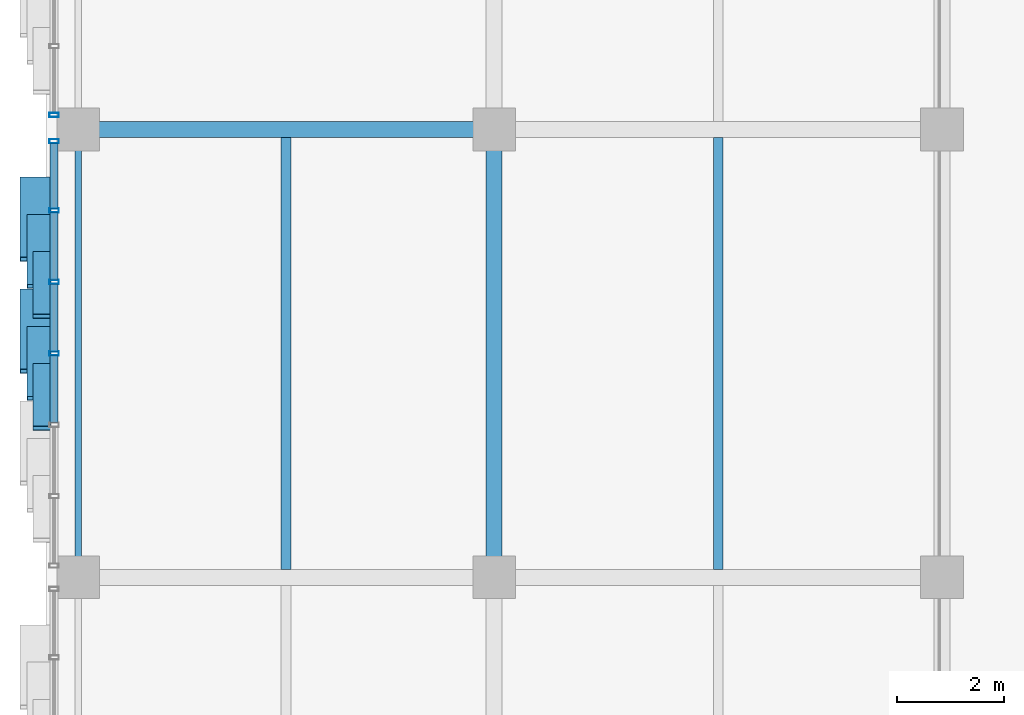
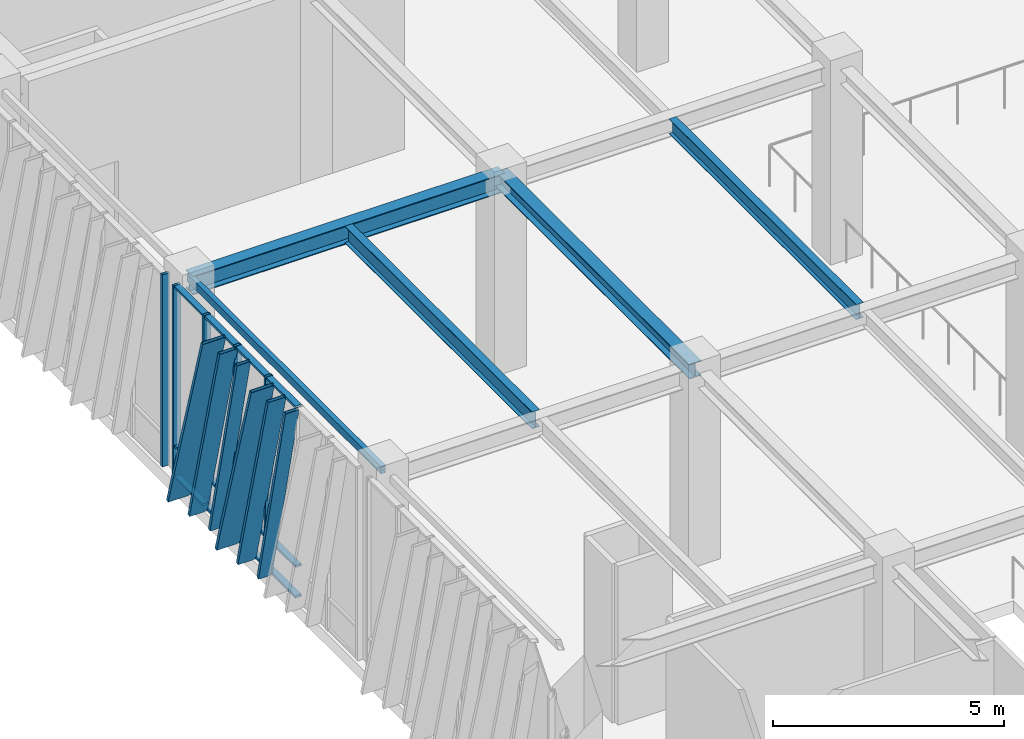
# One storey, part 42 of 139: 23 members, 5 beams, 2 elements without a shape of their own.
"""IFC4 building model written with IfcOpenShell, lengths in metres."""

from ifc_helpers import new_model, si_unit, direction, frame, origin, origin_2d, place, context, subcontext, project, spatial, hollow_rectangle, i_section, extrude, material, layer, layer_set, material_profile, profile_set, type_object, element, aggregate, save


model = new_model("IFC4")

# Units and contexts
model_context = context("Model", 3, precision=1e-05, world=origin(), true_north=direction((0.0, 1.0)))
body_context = subcontext(model_context, "Body", "Model", "MODEL_VIEW")
ifc_project = project(units=[si_unit("LENGTHUNIT", "METRE"), si_unit("AREAUNIT", "SQUARE_METRE"), si_unit("VOLUMEUNIT", "CUBIC_METRE"), si_unit("PLANEANGLEUNIT", "RADIAN"), si_unit("MASSUNIT", "GRAM", prefix="KILO")], contexts=[model_context])

# Site, building, storey
site_placement = place(None, origin())
site = spatial("IfcSite", under=ifc_project, at=site_placement, CompositionType="ELEMENT")
building_placement = place(site_placement, origin())
building = spatial("IfcBuilding", under=site, at=building_placement, Name="Zayran Congress Hotel", CompositionType="ELEMENT")
storey_placement = place(building_placement, frame((0.0, 0.0, 5.39990234375)))
storey = spatial("IfcBuildingStorey", under=building, at=storey_placement, Name="L01", CompositionType="ELEMENT", Elevation=5.39990234375)

# Beams
ifc_material_1 = material(Name="Steel S355", Category="steel")
ifc_material_profile_1 = material_profile(ifc_material_1, i_section(OverallWidth=0.300048828125, OverallDepth=0.489990234375, WebThickness=0.011962890625, FlangeThickness=0.02294921875, at=origin_2d()), Name="HEA 500")
ifc_profile_set_1 = profile_set([ifc_material_profile_1], Name="Steel S355")
beam_type_1 = type_object("IfcBeamType", Name="TP-BM-05", PredefinedType="BEAM", material=ifc_profile_set_1)
beam_1_placement = place(storey_placement, frame((9.0, 101.199951171875, 4.835205078125), z_axis=(1.0, 0.0, 0.0), x_axis=(0.0, 1.0, 0.0)))
element("IfcBeam", 1, at=beam_1_placement, inside=storey, type_object=beam_type_1, Name="BM-V1-L01-0547", PredefinedType="BEAM", context=body_context, shape_type="SweptSolid", body=[
    extrude(i_section(OverallWidth=0.300048828125, OverallDepth=0.489990234375, WebThickness=0.011962890625, FlangeThickness=0.02294921875, at=origin_2d()), origin(), (0.0, 0.0, 1.0), 7.800048828125),
])
ifc_material_profile_2 = material_profile(ifc_material_1, i_section(OverallWidth=0.300048828125, OverallDepth=0.389892578125, WebThickness=0.010986328125, FlangeThickness=0.01904296875, at=origin_2d()), Name="HEA 400")
ifc_profile_set_2 = profile_set([ifc_material_profile_2], Name="Steel S355")
beam_type_2 = type_object("IfcBeamType", Name="TP-BM-06", PredefinedType="BEAM", material=ifc_profile_set_2)
beam_2_placement = place(storey_placement, frame((16.800048828125, 92.800048828125, 4.885009765625), z_axis=(0.0, 1.0, 0.0), x_axis=(-1.0, 0.0, 0.0)))
element("IfcBeam", 2, at=beam_2_placement, inside=storey, type_object=beam_type_2, Name="BM-V1-L01-0579", PredefinedType="BEAM", context=body_context, shape_type="SweptSolid", body=[
    extrude(i_section(OverallWidth=0.300048828125, OverallDepth=0.389892578125, WebThickness=0.010986328125, FlangeThickness=0.01904296875, at=origin_2d()), origin(), (0.0, 0.0, 1.0), 8.39990234375),
])
ifc_material_profile_3 = material_profile(ifc_material_1, i_section(OverallWidth=0.18994140625, OverallDepth=0.449951171875, WebThickness=0.009521484375, FlangeThickness=0.0146484375, at=origin_2d()), Name="IPE 450")
ifc_profile_set_3 = profile_set([ifc_material_profile_3], Name="Steel S355")
beam_type_3 = type_object("IfcBeamType", Name="TP-JS-02", PredefinedType="JOIST", material=ifc_profile_set_3)
beam_3_placement = place(storey_placement, frame((12.89990234375, 92.949951171875, 4.85498046875), z_axis=(0.0, 1.0, 0.0), x_axis=(-1.0, 0.0, 0.0)))
element("IfcBeam", 3, at=beam_3_placement, inside=storey, type_object=beam_type_3, Name="JST-V1-L01-0619", PredefinedType="JOIST", context=body_context, shape_type="SweptSolid", body=[
    extrude(i_section(OverallWidth=0.18994140625, OverallDepth=0.449951171875, WebThickness=0.009521484375, FlangeThickness=0.0146484375, at=origin_2d()), origin(), (0.0, 0.0, 1.0), 8.10009765625),
])
ifc_material_profile_4 = material_profile(ifc_material_1, i_section(OverallWidth=0.179931640625, OverallDepth=0.39990234375, WebThickness=0.008544921875, FlangeThickness=0.013427734375, at=origin_2d()), Name="IPE 400")
ifc_profile_set_4 = profile_set([ifc_material_profile_4], Name="Steel S355")
beam_type_4 = type_object("IfcBeamType", Name="TP-JS-03", PredefinedType="JOIST", material=ifc_profile_set_4)
beam_4_placement = place(storey_placement, frame((21.0, 92.949951171875, 4.880126953125), z_axis=(0.0, 1.0, 0.0), x_axis=(-1.0, 0.0, 0.0)))
element("IfcBeam", 4, at=beam_4_placement, inside=storey, type_object=beam_type_4, Name="JST-V1-L01-0623", PredefinedType="JOIST", context=body_context, shape_type="SweptSolid", body=[
    extrude(i_section(OverallWidth=0.179931640625, OverallDepth=0.39990234375, WebThickness=0.008544921875, FlangeThickness=0.013427734375, at=origin_2d()), origin(), (0.0, 0.0, 1.0), 8.10009765625),
])
ifc_material_profile_5 = material_profile(ifc_material_1, hollow_rectangle(XDim=0.1201171875, YDim=0.199951171875, WallThickness=0.008056640625, at=origin_2d()), Name="RHS 200x120x8")
ifc_profile_set_5 = profile_set([ifc_material_profile_5], Name="Steel S355")
beam_type_5 = type_object("IfcBeamType", Name="TP-SP-02", PredefinedType="SPANDREL", material=ifc_profile_set_5)
beam_5_placement = place(storey_placement, frame((9.0, 92.800048828125, 4.97998046875), z_axis=(0.0, 1.0, 0.0), x_axis=(-1.0, 0.0, 0.0)))
element("IfcBeam", 5, at=beam_5_placement, inside=storey, type_object=beam_type_5, Name="BM-V1-L01-0574", PredefinedType="SPANDREL", context=body_context, shape_type="SweptSolid", body=[
    extrude(hollow_rectangle(XDim=0.1201171875, YDim=0.199951171875, WallThickness=0.008056640625, at=origin_2d()), origin(), (0.0, 0.0, 1.0), 8.39990234375),
])

# Curtain wall, members
ifc_material_2 = material(Name="Anodised aluminium and low-E insulated glass", Category="aluminium")
ifc_layer_1 = layer(ifc_material_2, 0.179931640625)
ifc_layer_set_1 = layer_set([ifc_layer_1], Name="Anodised aluminium and low-E insulated glass")
curtain_wall_type_1 = type_object("IfcCurtainWallType", Name="CW-V1W-L01-CW-32-8040-5080", PredefinedType="USERDEFINED", material=ifc_layer_set_1)
curtain_wall_1_placement = place(storey_placement, origin())
curtain_wall_1 = element("IfcCurtainWall", 6, at=curtain_wall_1_placement, inside=storey, type_object=curtain_wall_type_1, Name="CW-V1W-L01-3", ObjectType="CURTAIN WALL", PredefinedType="USERDEFINED")
ifc_material_3 = material(Name="Anodised aluminium framing", Category="aluminium")
ifc_material_profile_6 = material_profile(ifc_material_3, hollow_rectangle(XDim=0.080078125, YDim=0.179931640625, WallThickness=0.0048828125, at=origin_2d()), Name="RHS 180x80x5")
ifc_profile_set_6 = profile_set([ifc_material_profile_6], Name="Anodised aluminium framing")
member_type_1 = type_object("IfcMemberType", Name="TP-CWM-01", PredefinedType="MULLION", material=ifc_profile_set_6)
member_1_placement = place(storey_placement, frame((8.550048828125, 100.97998046875, 0.0), z_axis=(0.0, 0.0, 1.0), x_axis=(0.0, 1.0, 0.0)))
member_1 = element("IfcMember", 7, at=member_1_placement, type_object=member_type_1, Name="CW-V1W-L01-3-M00", PredefinedType="MULLION", context=body_context, shape_type="SweptSolid", body=[
    extrude(hollow_rectangle(XDim=0.080078125, YDim=0.179931640625, WallThickness=0.0048828125, at=origin_2d()), origin(), (0.0, 0.0, 1.0), 5.080078125),
])
member_2_placement = place(storey_placement, frame((8.550048828125, 99.679931640625, 0.0), z_axis=(0.0, 0.0, 1.0), x_axis=(0.0, 1.0, 0.0)))
member_2 = element("IfcMember", 8, at=member_2_placement, type_object=member_type_1, Name="CW-V1W-L01-3-M01", PredefinedType="MULLION", context=body_context, shape_type="SweptSolid", body=[
    extrude(hollow_rectangle(XDim=0.080078125, YDim=0.179931640625, WallThickness=0.0048828125, at=origin_2d()), origin(), (0.0, 0.0, 1.0), 5.080078125),
])
member_3_placement = place(storey_placement, frame((8.550048828125, 98.340087890625, 0.0), z_axis=(0.0, 0.0, 1.0), x_axis=(0.0, 1.0, 0.0)))
member_3 = element("IfcMember", 9, at=member_3_placement, type_object=member_type_1, Name="CW-V1W-L01-3-M02", PredefinedType="MULLION", context=body_context, shape_type="SweptSolid", body=[
    extrude(hollow_rectangle(XDim=0.080078125, YDim=0.179931640625, WallThickness=0.0048828125, at=origin_2d()), origin(), (0.0, 0.0, 1.0), 5.080078125),
])
member_4_placement = place(storey_placement, frame((8.550048828125, 97.0, 0.0), z_axis=(0.0, 0.0, 1.0), x_axis=(0.0, 1.0, 0.0)))
member_4 = element("IfcMember", 10, at=member_4_placement, type_object=member_type_1, Name="CW-V1W-L01-3-M03", PredefinedType="MULLION", context=body_context, shape_type="SweptSolid", body=[
    extrude(hollow_rectangle(XDim=0.080078125, YDim=0.179931640625, WallThickness=0.0048828125, at=origin_2d()), origin(), (0.0, 0.0, 1.0), 5.080078125),
])

# Curtain wall, member
ifc_layer_2 = layer(ifc_material_2, 0.179931640625)
ifc_layer_set_2 = layer_set([ifc_layer_2], Name="Anodised aluminium and low-E insulated glass")
curtain_wall_type_2 = type_object("IfcCurtainWallType", Name="CW-V1W-L01-CW-31-7990-5080", PredefinedType="USERDEFINED", material=ifc_layer_set_2)
curtain_wall_2_placement = place(storey_placement, origin())
curtain_wall_2 = element("IfcCurtainWall", 11, at=curtain_wall_2_placement, inside=storey, type_object=curtain_wall_type_2, Name="CW-V1W-L01-4", ObjectType="CURTAIN WALL", PredefinedType="USERDEFINED")
member_5_placement = place(storey_placement, frame((8.550048828125, 101.469970703125, 0.0), z_axis=(0.0, 0.0, 1.0), x_axis=(0.0, 1.0, 0.0)))
member_5 = element("IfcMember", 12, at=member_5_placement, type_object=member_type_1, Name="CW-V1W-L01-4-M06", PredefinedType="MULLION", context=body_context, shape_type="SweptSolid", body=[
    extrude(hollow_rectangle(XDim=0.080078125, YDim=0.179931640625, WallThickness=0.0048828125, at=origin_2d()), origin(), (0.0, 0.0, 1.0), 5.080078125),
])
aggregate(curtain_wall_2, [member_5])

# Member
ifc_material_profile_7 = material_profile(ifc_material_3, hollow_rectangle(XDim=0.06005859375, YDim=0.14990234375, WallThickness=0.00390625, at=origin_2d()), Name="RHS 150x60x4")
ifc_profile_set_7 = profile_set([ifc_material_profile_7], Name="Anodised aluminium framing")
member_type_2 = type_object("IfcMemberType", Name="TP-CWT-01", PredefinedType="USERDEFINED", material=ifc_profile_set_7)
member_6_placement = place(storey_placement, frame((8.550048828125, 100.93994140625, 0.030029296875), z_axis=(0.0, -1.0, 0.0), x_axis=(0.0, 0.0, 1.0)))
member_6 = element("IfcMember", 13, at=member_6_placement, type_object=member_type_2, Name="CW-V1W-L01-3-T00-0", ObjectType="TRANSOM", PredefinedType="USERDEFINED", context=body_context, shape_type="SweptSolid", body=[
    extrude(hollow_rectangle(XDim=0.06005859375, YDim=0.14990234375, WallThickness=0.00390625, at=origin_2d()), origin(), (0.0, 0.0, 1.0), 1.219970703125),
])

member_7_placement = place(storey_placement, frame((8.550048828125, 100.93994140625, 0.840087890625), z_axis=(0.0, -1.0, 0.0), x_axis=(0.0, 0.0, 1.0)))
member_7 = element("IfcMember", 14, at=member_7_placement, type_object=member_type_2, Name="CW-V1W-L01-3-T00-1", ObjectType="TRANSOM", PredefinedType="USERDEFINED", context=body_context, shape_type="SweptSolid", body=[
    extrude(hollow_rectangle(XDim=0.06005859375, YDim=0.14990234375, WallThickness=0.00390625, at=origin_2d()), origin(), (0.0, 0.0, 1.0), 1.219970703125),
])

member_8_placement = place(storey_placement, frame((8.550048828125, 100.93994140625, 5.050048828125), z_axis=(0.0, -1.0, 0.0), x_axis=(0.0, 0.0, 1.0)))
member_8 = element("IfcMember", 15, at=member_8_placement, type_object=member_type_2, Name="CW-V1W-L01-3-T00-2", ObjectType="TRANSOM", PredefinedType="USERDEFINED", context=body_context, shape_type="SweptSolid", body=[
    extrude(hollow_rectangle(XDim=0.06005859375, YDim=0.14990234375, WallThickness=0.00390625, at=origin_2d()), origin(), (0.0, 0.0, 1.0), 1.219970703125),
])

member_9_placement = place(storey_placement, frame((8.550048828125, 99.639892578125, 0.030029296875), z_axis=(0.0, -1.0, 0.0), x_axis=(0.0, 0.0, 1.0)))
member_9 = element("IfcMember", 16, at=member_9_placement, type_object=member_type_2, Name="CW-V1W-L01-3-T01-0", ObjectType="TRANSOM", PredefinedType="USERDEFINED", context=body_context, shape_type="SweptSolid", body=[
    extrude(hollow_rectangle(XDim=0.06005859375, YDim=0.14990234375, WallThickness=0.00390625, at=origin_2d()), origin(), (0.0, 0.0, 1.0), 1.260009765625),
])

member_10_placement = place(storey_placement, frame((8.550048828125, 99.639892578125, 0.840087890625), z_axis=(0.0, -1.0, 0.0), x_axis=(0.0, 0.0, 1.0)))
member_10 = element("IfcMember", 17, at=member_10_placement, type_object=member_type_2, Name="CW-V1W-L01-3-T01-1", ObjectType="TRANSOM", PredefinedType="USERDEFINED", context=body_context, shape_type="SweptSolid", body=[
    extrude(hollow_rectangle(XDim=0.06005859375, YDim=0.14990234375, WallThickness=0.00390625, at=origin_2d()), origin(), (0.0, 0.0, 1.0), 1.260009765625),
])

member_11_placement = place(storey_placement, frame((8.550048828125, 99.639892578125, 5.050048828125), z_axis=(0.0, -1.0, 0.0), x_axis=(0.0, 0.0, 1.0)))
member_11 = element("IfcMember", 18, at=member_11_placement, type_object=member_type_2, Name="CW-V1W-L01-3-T01-2", ObjectType="TRANSOM", PredefinedType="USERDEFINED", context=body_context, shape_type="SweptSolid", body=[
    extrude(hollow_rectangle(XDim=0.06005859375, YDim=0.14990234375, WallThickness=0.00390625, at=origin_2d()), origin(), (0.0, 0.0, 1.0), 1.260009765625),
])

member_12_placement = place(storey_placement, frame((8.550048828125, 98.300048828125, 0.030029296875), z_axis=(0.0, -1.0, 0.0), x_axis=(0.0, 0.0, 1.0)))
member_12 = element("IfcMember", 19, at=member_12_placement, type_object=member_type_2, Name="CW-V1W-L01-3-T02-0", ObjectType="TRANSOM", PredefinedType="USERDEFINED", context=body_context, shape_type="SweptSolid", body=[
    extrude(hollow_rectangle(XDim=0.06005859375, YDim=0.14990234375, WallThickness=0.00390625, at=origin_2d()), origin(), (0.0, 0.0, 1.0), 1.260009765625),
])

member_13_placement = place(storey_placement, frame((8.550048828125, 98.300048828125, 0.840087890625), z_axis=(0.0, -1.0, 0.0), x_axis=(0.0, 0.0, 1.0)))
member_13 = element("IfcMember", 20, at=member_13_placement, type_object=member_type_2, Name="CW-V1W-L01-3-T02-1", ObjectType="TRANSOM", PredefinedType="USERDEFINED", context=body_context, shape_type="SweptSolid", body=[
    extrude(hollow_rectangle(XDim=0.06005859375, YDim=0.14990234375, WallThickness=0.00390625, at=origin_2d()), origin(), (0.0, 0.0, 1.0), 1.260009765625),
])

member_14_placement = place(storey_placement, frame((8.550048828125, 98.300048828125, 5.050048828125), z_axis=(0.0, -1.0, 0.0), x_axis=(0.0, 0.0, 1.0)))
member_14 = element("IfcMember", 21, at=member_14_placement, type_object=member_type_2, Name="CW-V1W-L01-3-T02-2", ObjectType="TRANSOM", PredefinedType="USERDEFINED", context=body_context, shape_type="SweptSolid", body=[
    extrude(hollow_rectangle(XDim=0.06005859375, YDim=0.14990234375, WallThickness=0.00390625, at=origin_2d()), origin(), (0.0, 0.0, 1.0), 1.260009765625),
])

member_15_placement = place(storey_placement, frame((8.550048828125, 96.9599609375, 0.030029296875), z_axis=(0.0, -1.0, 0.0), x_axis=(0.0, 0.0, 1.0)))
member_15 = element("IfcMember", 22, at=member_15_placement, type_object=member_type_2, Name="CW-V1W-L01-3-T03-0", ObjectType="TRANSOM", PredefinedType="USERDEFINED", context=body_context, shape_type="SweptSolid", body=[
    extrude(hollow_rectangle(XDim=0.06005859375, YDim=0.14990234375, WallThickness=0.00390625, at=origin_2d()), origin(), (0.0, 0.0, 1.0), 1.260009765625),
])

member_16_placement = place(storey_placement, frame((8.550048828125, 96.9599609375, 0.840087890625), z_axis=(0.0, -1.0, 0.0), x_axis=(0.0, 0.0, 1.0)))
member_16 = element("IfcMember", 23, at=member_16_placement, type_object=member_type_2, Name="CW-V1W-L01-3-T03-1", ObjectType="TRANSOM", PredefinedType="USERDEFINED", context=body_context, shape_type="SweptSolid", body=[
    extrude(hollow_rectangle(XDim=0.06005859375, YDim=0.14990234375, WallThickness=0.00390625, at=origin_2d()), origin(), (0.0, 0.0, 1.0), 1.260009765625),
])

member_17_placement = place(storey_placement, frame((8.550048828125, 96.9599609375, 5.050048828125), z_axis=(0.0, -1.0, 0.0), x_axis=(0.0, 0.0, 1.0)))
member_17 = element("IfcMember", 24, at=member_17_placement, type_object=member_type_2, Name="CW-V1W-L01-3-T03-2", ObjectType="TRANSOM", PredefinedType="USERDEFINED", context=body_context, shape_type="SweptSolid", body=[
    extrude(hollow_rectangle(XDim=0.06005859375, YDim=0.14990234375, WallThickness=0.00390625, at=origin_2d()), origin(), (0.0, 0.0, 1.0), 1.260009765625),
])

ifc_material_4 = material(Name="Warm bronze anodised aluminium", Category="aluminium")
ifc_material_profile_8 = material_profile(ifc_material_4, hollow_rectangle(XDim=0.080078125, YDim=0.580078125, WallThickness=0.006103515625, at=origin_2d()), Name="RHS 580x80x6")
ifc_profile_set_8 = profile_set([ifc_material_profile_8], Name="Warm bronze anodised aluminium")
member_type_3 = type_object("IfcMemberType", Name="TP-RFN-01", PredefinedType="MULLION", material=ifc_profile_set_8)
member_18_placement = place(storey_placement, frame((8.199951171875, 100.27001953125, 0.0), z_axis=(0.0, -0.284031848834, 0.958814845968), x_axis=(0.0, 0.958814845968, 0.284031848834)))
member_18 = element("IfcMember", 25, at=member_18_placement, type_object=member_type_3, Name="Slanting Reed Mullion CW-32-01", PredefinedType="MULLION", context=body_context, shape_type="SweptSolid", body=[
    extrude(hollow_rectangle(XDim=0.080078125, YDim=0.580078125, WallThickness=0.006103515625, at=origin_2d()), origin(), (0.0, 0.0, 1.0), 5.29833984375),
])

member_19_placement = place(storey_placement, frame((8.199951171875, 98.169921875, 0.0), z_axis=(0.0, -0.283989486251, 0.958827394112), x_axis=(0.0, 0.958827394112, 0.283989486251)))
member_19 = element("IfcMember", 26, at=member_19_placement, type_object=member_type_3, Name="Slanting Reed Mullion CW-32-04", PredefinedType="MULLION", context=body_context, shape_type="SweptSolid", body=[
    extrude(hollow_rectangle(XDim=0.080078125, YDim=0.580078125, WallThickness=0.006103515625, at=origin_2d()), origin(), (0.0, 0.0, 1.0), 5.29833984375),
])

ifc_material_profile_9 = material_profile(ifc_material_4, hollow_rectangle(XDim=0.080078125, YDim=0.449951171875, WallThickness=0.006103515625, at=origin_2d()), Name="RHS 450x80x6")
ifc_profile_set_9 = profile_set([ifc_material_profile_9], Name="Warm bronze anodised aluminium")
member_type_4 = type_object("IfcMemberType", Name="TP-RFN-02", PredefinedType="MULLION", material=ifc_profile_set_9)
member_20_placement = place(storey_placement, frame((8.264892578125, 99.570068359375, 0.0), z_axis=(0.0, -0.25040989041, 0.968139910749), x_axis=(0.0, 0.968139910749, 0.25040989041)))
member_20 = element("IfcMember", 27, at=member_20_placement, type_object=member_type_4, Name="Slanting Reed Mullion CW-32-02", PredefinedType="MULLION", context=body_context, shape_type="SweptSolid", body=[
    extrude(hollow_rectangle(XDim=0.080078125, YDim=0.449951171875, WallThickness=0.006103515625, at=origin_2d()), origin(), (0.0, 0.0, 1.0), 5.247314453125),
])

member_21_placement = place(storey_placement, frame((8.264892578125, 97.469970703125, 0.0), z_axis=(0.0, -0.250366279854, 0.968151189594), x_axis=(0.0, 0.968151189594, 0.250366279854)))
member_21 = element("IfcMember", 28, at=member_21_placement, type_object=member_type_4, Name="Slanting Reed Mullion CW-32-05", PredefinedType="MULLION", context=body_context, shape_type="SweptSolid", body=[
    extrude(hollow_rectangle(XDim=0.080078125, YDim=0.449951171875, WallThickness=0.006103515625, at=origin_2d()), origin(), (0.0, 0.0, 1.0), 5.247314453125),
])

ifc_material_profile_10 = material_profile(ifc_material_4, hollow_rectangle(XDim=0.080078125, YDim=0.340087890625, WallThickness=0.006103515625, at=origin_2d()), Name="RHS 340x80x6")
ifc_profile_set_10 = profile_set([ifc_material_profile_10], Name="Warm bronze anodised aluminium")
member_type_5 = type_object("IfcMemberType", Name="TP-RFN-03", PredefinedType="MULLION", material=ifc_profile_set_10)
member_22_placement = place(storey_placement, frame((8.320068359375, 98.8701171875, 0.0), z_axis=(0.0, -0.224955263497, 0.974369093016), x_axis=(0.0, 0.974369093016, 0.224955263497)))
member_22 = element("IfcMember", 29, at=member_22_placement, type_object=member_type_5, Name="Slanting Reed Mullion CW-32-03", PredefinedType="MULLION", context=body_context, shape_type="SweptSolid", body=[
    extrude(hollow_rectangle(XDim=0.080078125, YDim=0.340087890625, WallThickness=0.006103515625, at=origin_2d()), origin(), (0.0, 0.0, 1.0), 5.213623046875),
])

member_23_placement = place(storey_placement, frame((8.320068359375, 96.77001953125, 0.0), z_axis=(0.0, -0.224955263497, 0.974369093016), x_axis=(0.0, 0.974369093016, 0.224955263497)))
member_23 = element("IfcMember", 30, at=member_23_placement, type_object=member_type_5, Name="Slanting Reed Mullion CW-32-06", PredefinedType="MULLION", context=body_context, shape_type="SweptSolid", body=[
    extrude(hollow_rectangle(XDim=0.080078125, YDim=0.340087890625, WallThickness=0.006103515625, at=origin_2d()), origin(), (0.0, 0.0, 1.0), 5.213623046875),
])

aggregate(curtain_wall_1, [member_1, member_2, member_3, member_4, member_6, member_7, member_8, member_9, member_10, member_11, member_12, member_13, member_14, member_15, member_16, member_17, member_18, member_20, member_22, member_19, member_21, member_23])

save(model, "model.ifc")
